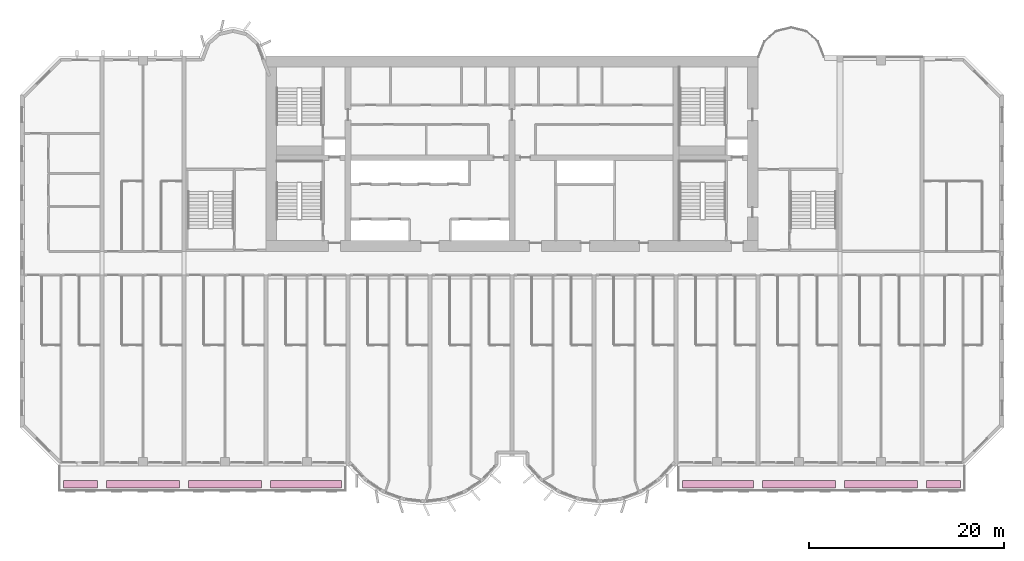
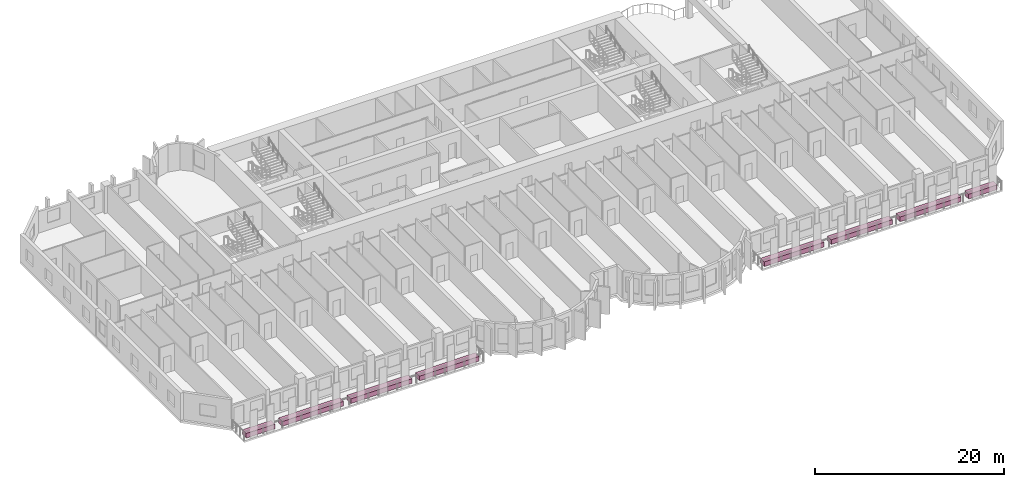
# One storey, part 14 of 14: 8 furniture elements.
"""IFC4 building model written with IfcOpenShell, lengths in metres."""

from ifc_helpers import new_model, si_unit, direction, frame, origin, origin_2d, place, context, subcontext, project, spatial, rectangle, extrude, source, transform, mapped, material, type_object, element, save


model = new_model("IFC4")

# Units and contexts
model_context = context("Model", 3, precision=1e-05, world=origin(), true_north=direction((0.0, 1.0)))
body_context = subcontext(model_context, "Body", "Model", "MODEL_VIEW")
ifc_project = project(units=[si_unit("LENGTHUNIT", "METRE"), si_unit("AREAUNIT", "SQUARE_METRE"), si_unit("VOLUMEUNIT", "CUBIC_METRE"), si_unit("PLANEANGLEUNIT", "RADIAN"), si_unit("MASSUNIT", "GRAM", prefix="KILO")], contexts=[model_context])

# Site, building, storey
site_placement = place(None, origin())
site = spatial("IfcSite", under=ifc_project, at=site_placement, CompositionType="ELEMENT")
building_placement = place(site_placement, origin())
building = spatial("IfcBuilding", under=site, at=building_placement, Name="Vanashikhar Sky Hotel", CompositionType="ELEMENT")
storey_placement = place(building_placement, frame((0.0, 0.0, 27.800048828125)))
storey = spatial("IfcBuildingStorey", under=building, at=storey_placement, Name="L05", CompositionType="ELEMENT", Elevation=27.800048828125)

# Furniture
ifc_material = material(Name="Planting soil and shrubs")
furniture_type = type_object("IfcFurnitureType", Name="Planter trough", AssemblyPlace="NOTDEFINED", PredefinedType="USERDEFINED", material=ifc_material)
shared_shape_1 = source(origin(), body_context, "Body", "SweptSolid", [
    extrude(rectangle(XDim=3.5, YDim=0.800048828125, at=origin_2d()), origin(), (0.0, 0.0, 1.0), 0.60009765625),
])
for number, where, z_axis, x_axis, name in (
    (1, (6.199951171875, -1.85009765625, -0.050048828125), (0.0, 0.0, 1.0), (1.0, 0.0, 0.0), "PLANTER with climbers"),
    (2, (94.60009765625, -1.85009765625, -0.050048828125), (0.0, 0.0, 1.0), (1.0, 0.0, 0.0), "PLANTER with climbers"),
):
    element("IfcFurniture", number, at=place(storey_placement, frame(where, z_axis=z_axis, x_axis=x_axis)), inside=storey, type_object=furniture_type, Name=name, ObjectType="PLANTER", PredefinedType="USERDEFINED", context=body_context, shape_type="MappedRepresentation", body=[
        mapped(shared_shape_1, transform((0.0, 0.0, 0.0), scale=1.0)),
    ])
shared_shape_2 = source(origin(), body_context, "Body", "SweptSolid", [
    extrude(rectangle(XDim=7.5, YDim=0.800048828125, at=origin_2d()), origin(), (0.0, 0.0, 1.0), 0.60009765625),
])
for number, where, z_axis, x_axis, name in (
    (3, (12.60009765625, -1.85009765625, -0.050048828125), (0.0, 0.0, 1.0), (1.0, 0.0, 0.0), "PLANTER with climbers"),
    (4, (21.0, -1.85009765625, -0.050048828125), (0.0, 0.0, 1.0), (1.0, 0.0, 0.0), "PLANTER with climbers"),
    (5, (79.800048828125, -1.85009765625, -0.050048828125), (0.0, 0.0, 1.0), (1.0, 0.0, 0.0), "PLANTER with climbers"),
    (6, (88.199951171875, -1.85009765625, -0.050048828125), (0.0, 0.0, 1.0), (1.0, 0.0, 0.0), "PLANTER with climbers"),
):
    element("IfcFurniture", number, at=place(storey_placement, frame(where, z_axis=z_axis, x_axis=x_axis)), inside=storey, type_object=furniture_type, Name=name, ObjectType="PLANTER", PredefinedType="USERDEFINED", context=body_context, shape_type="MappedRepresentation", body=[
        mapped(shared_shape_2, transform((0.0, 0.0, 0.0), scale=1.0)),
    ])
shared_shape_3 = source(origin(), body_context, "Body", "SweptSolid", [
    extrude(rectangle(XDim=7.300048828125, YDim=0.800048828125, at=origin_2d()), origin(), (0.0, 0.0, 1.0), 0.60009765625),
])
for number, where, z_axis, x_axis, name in (
    (7, (29.300048828125, -1.85009765625, -0.050048828125), (0.0, 0.0, 1.0), (1.0, 0.0, 0.0), "PLANTER with climbers"),
    (8, (71.5, -1.85009765625, -0.050048828125), (0.0, 0.0, 1.0), (1.0, 0.0, 0.0), "PLANTER with climbers"),
):
    element("IfcFurniture", number, at=place(storey_placement, frame(where, z_axis=z_axis, x_axis=x_axis)), inside=storey, type_object=furniture_type, Name=name, ObjectType="PLANTER", PredefinedType="USERDEFINED", context=body_context, shape_type="MappedRepresentation", body=[
        mapped(shared_shape_3, transform((0.0, 0.0, 0.0), scale=1.0)),
    ])

save(model, "model.ifc")
